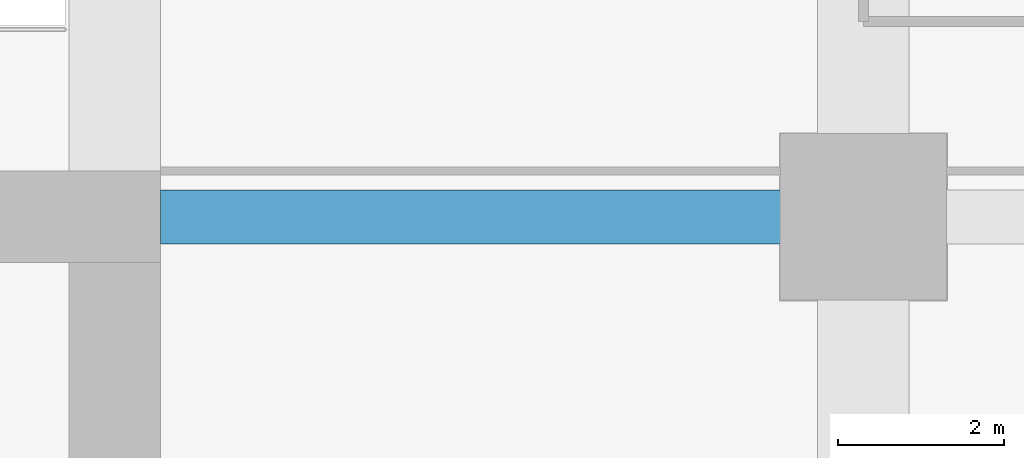
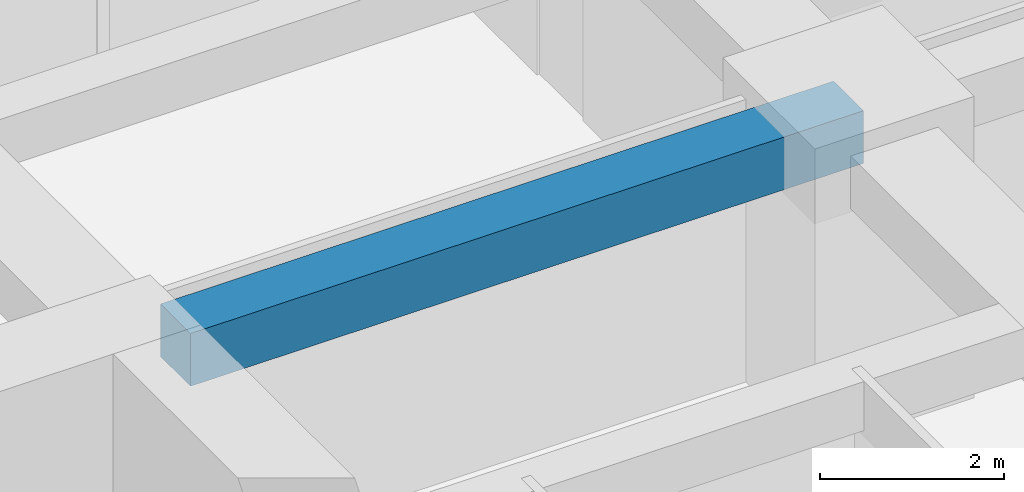
# One storey, part 31 of 41: 1 beam.
"""IFC4 building model written with IfcOpenShell, lengths in metres."""

from ifc_helpers import new_model, si_unit, direction, frame, origin, origin_2d, place, context, subcontext, project, spatial, rectangle, extrude, material, material_profile, profile_set, type_object, element, save


model = new_model("IFC4")

# Units and contexts
model_context = context("Model", 3, precision=1e-05, world=origin(), true_north=direction((0.0, 1.0)))
body_context = subcontext(model_context, "Body", "Model", "MODEL_VIEW")
ifc_project = project(units=[si_unit("LENGTHUNIT", "METRE"), si_unit("AREAUNIT", "SQUARE_METRE"), si_unit("VOLUMEUNIT", "CUBIC_METRE"), si_unit("PLANEANGLEUNIT", "RADIAN"), si_unit("MASSUNIT", "GRAM", prefix="KILO")], contexts=[model_context])

# Site, building, storey
site_placement = place(None, origin())
site = spatial("IfcSite", under=ifc_project, at=site_placement, CompositionType="ELEMENT")
building_placement = place(site_placement, origin())
building = spatial("IfcBuilding", under=site, at=building_placement, Name="Zorevar Civic Tower", CompositionType="ELEMENT")
storey_placement = place(building_placement, frame((0.0, 0.0, 101.0)))
storey = spatial("IfcBuildingStorey", under=building, at=storey_placement, Name="L24", CompositionType="ELEMENT", Elevation=101.0)

# Beam
ifc_material = material(Name="Concrete C50/60", Category="concrete")
ifc_material_profile = material_profile(ifc_material, rectangle(XDim=0.64990234375, YDim=0.699951171875, at=origin_2d()), Name="RC 650x700")
ifc_profile_set = profile_set([ifc_material_profile], Name="Concrete C50/60")
beam_type = type_object("IfcBeamType", Name="Beam RC 650x700", PredefinedType="BEAM", material=ifc_profile_set)
beam_placement = place(storey_placement, frame((45.550048828125, 36.0, 3.39990234375), z_axis=(1.0, 0.0, 0.0), x_axis=(0.0, 1.0, 0.0)))
element("IfcBeam", 1, at=beam_placement, inside=storey, type_object=beam_type, Name="Girder L25", PredefinedType="BEAM", context=body_context, shape_type="SweptSolid", body=[
    extrude(rectangle(XDim=0.64990234375, YDim=0.699951171875, at=origin_2d()), origin(), (0.0, 0.0, 1.0), 8.449951171875),
])

save(model, "model.ifc")
